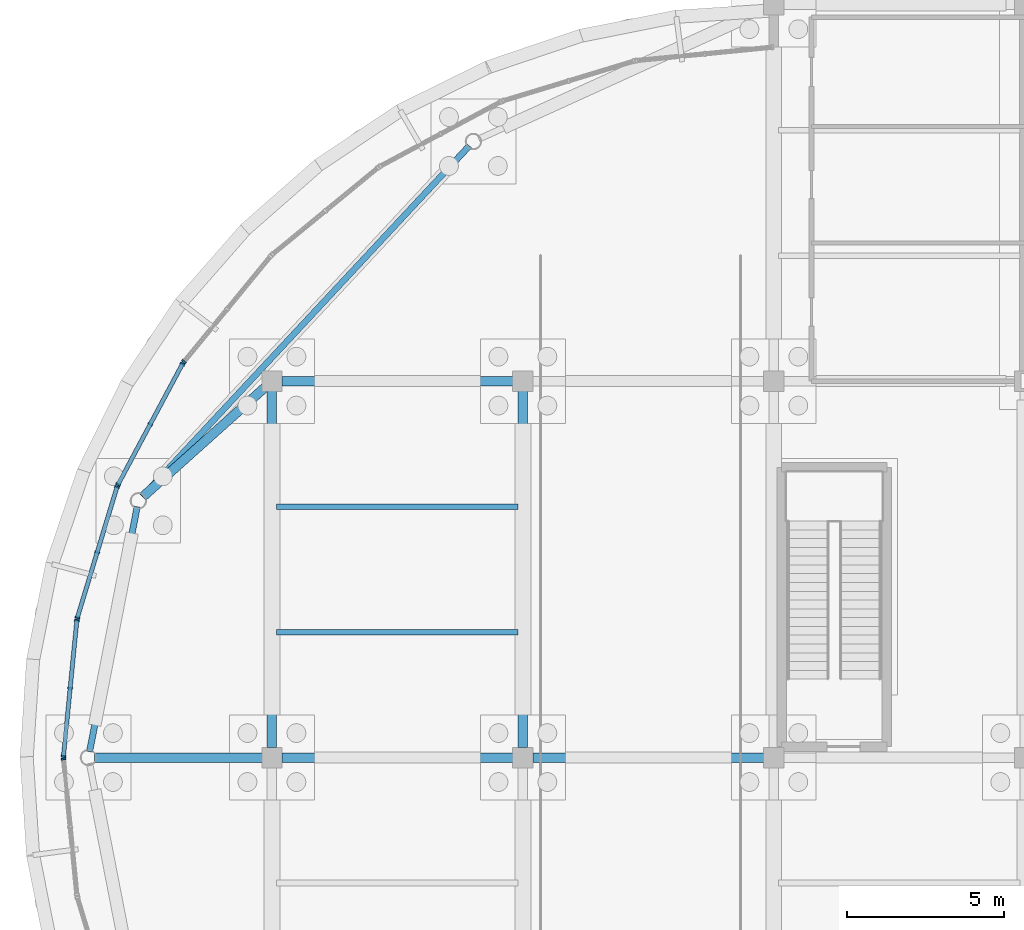
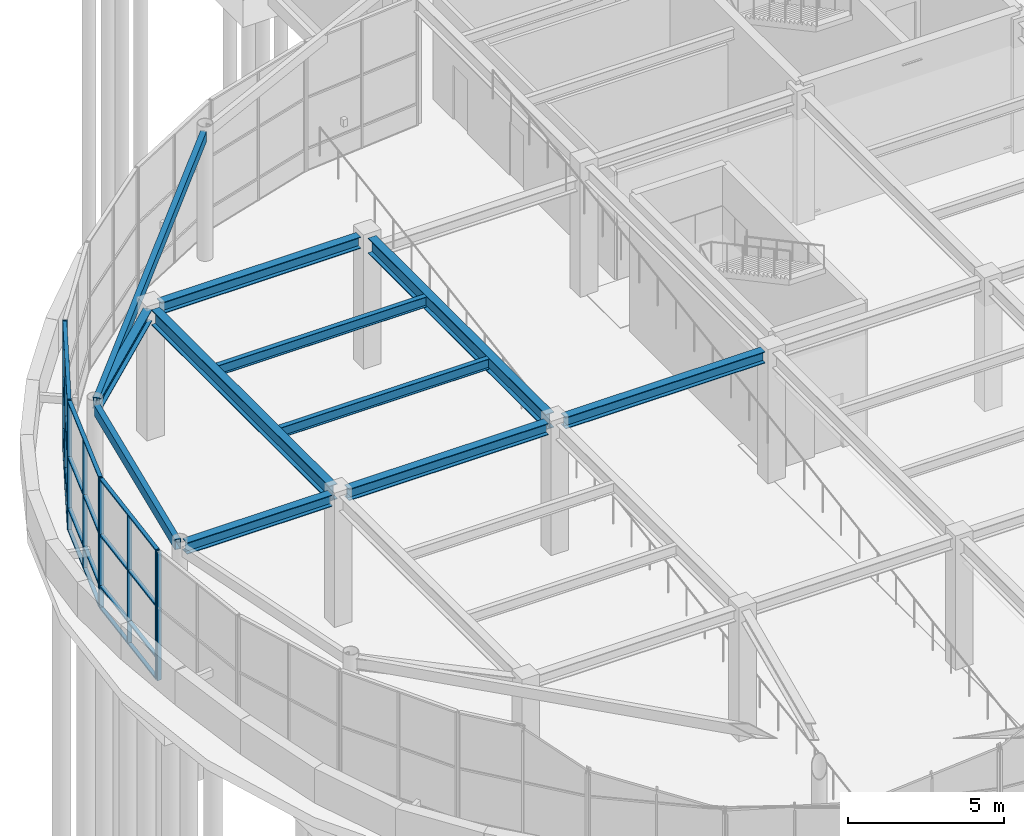
# One storey, part 30 of 85: 23 members, 11 beams, 5 elements without a shape of their own.
"""IFC4 building model written with IfcOpenShell, lengths in metres."""

from ifc_helpers import new_model, si_unit, direction, frame, origin, origin_2d, place, context, subcontext, project, spatial, rectangle, hollow_rectangle, i_section, extrude, material, layer, layer_set, material_profile, profile_set, type_object, element, aggregate, save


model = new_model("IFC4")

# Units and contexts
model_context = context("Model", 3, precision=1e-05, world=origin(), true_north=direction((0.0, 1.0)))
body_context = subcontext(model_context, "Body", "Model", "MODEL_VIEW")
ifc_project = project(units=[si_unit("LENGTHUNIT", "METRE"), si_unit("AREAUNIT", "SQUARE_METRE"), si_unit("VOLUMEUNIT", "CUBIC_METRE"), si_unit("PLANEANGLEUNIT", "RADIAN"), si_unit("MASSUNIT", "GRAM", prefix="KILO")], contexts=[model_context])

# Site, building, storey
site_placement = place(None, origin())
site = spatial("IfcSite", under=ifc_project, at=site_placement, CompositionType="ELEMENT")
building_placement = place(site_placement, origin())
building = spatial("IfcBuilding", under=site, at=building_placement, Name="Keelwater Ferry Terminal", CompositionType="ELEMENT")
storey_placement = place(building_placement, origin())
storey = spatial("IfcBuildingStorey", under=building, at=storey_placement, Name="L00", CompositionType="ELEMENT", Elevation=0.0)

# Curtain wall, member
ifc_material_1 = material(Name="Thermally broken unitised aluminium and triple glass", Category="aluminium")
ifc_layer = layer(ifc_material_1, 0.179931640625)
ifc_layer_set = layer_set([ifc_layer], Name="Thermally broken unitised aluminium and triple glass")
curtain_wall_type = type_object("IfcCurtainWallType", Name="CW-16 Unitised Curtain Wall 4350x5020", PredefinedType="USERDEFINED", material=ifc_layer_set)
curtain_wall_1_placement = place(storey_placement, origin())
curtain_wall_1 = element("IfcCurtainWall", 1, at=curtain_wall_1_placement, inside=storey, type_object=curtain_wall_type, Name="Unitised Curtain Wall CW-L00-081", ObjectType="UNITISED CURTAIN WALL", PredefinedType="USERDEFINED")
ifc_material_2 = material(Name="Aluminium mullion", Category="aluminium")
ifc_material_profile_1 = material_profile(ifc_material_2, rectangle(XDim=0.06005859375, YDim=0.14990234375, at=origin_2d()), Name="CWM-03")
ifc_profile_set_1 = profile_set([ifc_material_profile_1], Name="Aluminium mullion")
member_type_1 = type_object("IfcMemberType", Name="CWM-03 Curtain Mullion 60x150", PredefinedType="MULLION", material=ifc_profile_set_1)
member_1_placement = place(storey_placement, frame((5.196044921875, 78.618896484375, 0.0), z_axis=(0.0, 0.0, 1.0), x_axis=(-0.634376508991, -0.773024220086, 0.0)))
member_1 = element("IfcMember", 2, at=member_1_placement, type_object=member_type_1, Name="CW-L00-081 Mullion 3", PredefinedType="MULLION", context=body_context, shape_type="SweptSolid", body=[
    extrude(rectangle(XDim=0.06005859375, YDim=0.14990234375, at=origin_2d()), origin(), (0.0, 0.0, 1.0), 5.02001953125),
])
aggregate(curtain_wall_1, [member_1])

# Curtain wall, members
curtain_wall_2_placement = place(storey_placement, origin())
curtain_wall_2 = element("IfcCurtainWall", 3, at=curtain_wall_2_placement, inside=storey, type_object=curtain_wall_type, Name="Unitised Curtain Wall CW-L00-082", ObjectType="UNITISED CURTAIN WALL", PredefinedType="USERDEFINED")
member_2_placement = place(storey_placement, frame((5.14599609375, 78.5439453125, 0.0), z_axis=(0.0, 0.0, 1.0), x_axis=(-0.471506749303, -0.881862452632, 0.0)))
member_2 = element("IfcMember", 4, at=member_2_placement, type_object=member_type_1, Name="CW-L00-082 Mullion 1", PredefinedType="MULLION", context=body_context, shape_type="SweptSolid", body=[
    extrude(rectangle(XDim=0.06005859375, YDim=0.14990234375, at=origin_2d()), origin(), (0.0, 0.0, 1.0), 5.02001953125),
])
member_3_placement = place(storey_placement, frame((4.12060546875, 76.6259765625, 0.0), z_axis=(0.0, 0.0, 1.0), x_axis=(-0.471506749303, -0.881862452632, 0.0)))
member_3 = element("IfcMember", 5, at=member_3_placement, type_object=member_type_1, Name="CW-L00-082 Mullion 2", PredefinedType="MULLION", context=body_context, shape_type="SweptSolid", body=[
    extrude(rectangle(XDim=0.06005859375, YDim=0.14990234375, at=origin_2d()), origin(), (0.0, 0.0, 1.0), 5.02001953125),
])
member_4_placement = place(storey_placement, frame((3.094970703125, 74.7080078125, 0.0), z_axis=(0.0, 0.0, 1.0), x_axis=(-0.471506749303, -0.881862452632, 0.0)))
member_4 = element("IfcMember", 6, at=member_4_placement, type_object=member_type_1, Name="CW-L00-082 Mullion 3", PredefinedType="MULLION", context=body_context, shape_type="SweptSolid", body=[
    extrude(rectangle(XDim=0.06005859375, YDim=0.14990234375, at=origin_2d()), origin(), (0.0, 0.0, 1.0), 5.02001953125),
])

curtain_wall_3_placement = place(storey_placement, origin())
curtain_wall_3 = element("IfcCurtainWall", 7, at=curtain_wall_3_placement, inside=storey, type_object=curtain_wall_type, Name="Unitised Curtain Wall CW-L00-083", ObjectType="UNITISED CURTAIN WALL", PredefinedType="USERDEFINED")
member_5_placement = place(storey_placement, frame((3.06103515625, 74.625, 0.0), z_axis=(0.0, 0.0, 1.0), x_axis=(-0.290319989003, -0.956929623319, 0.0)))
member_5 = element("IfcMember", 8, at=member_5_placement, type_object=member_type_1, Name="CW-L00-083 Mullion 1", PredefinedType="MULLION", context=body_context, shape_type="SweptSolid", body=[
    extrude(rectangle(XDim=0.06005859375, YDim=0.14990234375, at=origin_2d()), origin(), (0.0, 0.0, 1.0), 5.02001953125),
])
member_6_placement = place(storey_placement, frame((2.429443359375, 72.54345703125, 0.0), z_axis=(0.0, 0.0, 1.0), x_axis=(-0.290319989003, -0.956929623319, 0.0)))
member_6 = element("IfcMember", 9, at=member_6_placement, type_object=member_type_1, Name="CW-L00-083 Mullion 2", PredefinedType="MULLION", context=body_context, shape_type="SweptSolid", body=[
    extrude(rectangle(XDim=0.06005859375, YDim=0.14990234375, at=origin_2d()), origin(), (0.0, 0.0, 1.0), 5.02001953125),
])
member_7_placement = place(storey_placement, frame((1.798095703125, 70.4619140625, 0.0), z_axis=(0.0, 0.0, 1.0), x_axis=(-0.290319989003, -0.956929623319, 0.0)))
member_7 = element("IfcMember", 10, at=member_7_placement, type_object=member_type_1, Name="CW-L00-083 Mullion 3", PredefinedType="MULLION", context=body_context, shape_type="SweptSolid", body=[
    extrude(rectangle(XDim=0.06005859375, YDim=0.14990234375, at=origin_2d()), origin(), (0.0, 0.0, 1.0), 5.02001953125),
])

curtain_wall_4_placement = place(storey_placement, origin())
curtain_wall_4 = element("IfcCurtainWall", 11, at=curtain_wall_4_placement, inside=storey, type_object=curtain_wall_type, Name="Unitised Curtain Wall CW-L00-084", ObjectType="UNITISED CURTAIN WALL", PredefinedType="USERDEFINED")
member_8_placement = place(storey_placement, frame((1.781005859375, 70.3740234375, 0.0), z_axis=(0.0, 0.0, 1.0), x_axis=(-0.098160737969, -0.995170573079, 0.0)))
member_8 = element("IfcMember", 12, at=member_8_placement, type_object=member_type_1, Name="CW-L00-084 Mullion 1", PredefinedType="MULLION", context=body_context, shape_type="SweptSolid", body=[
    extrude(rectangle(XDim=0.06005859375, YDim=0.14990234375, at=origin_2d()), origin(), (0.0, 0.0, 1.0), 5.02001953125),
])
member_9_placement = place(storey_placement, frame((1.5673828125, 68.20947265625, 0.0), z_axis=(0.0, 0.0, 1.0), x_axis=(-0.098160737969, -0.995170573079, 0.0)))
member_9 = element("IfcMember", 13, at=member_9_placement, type_object=member_type_1, Name="CW-L00-084 Mullion 2", PredefinedType="MULLION", context=body_context, shape_type="SweptSolid", body=[
    extrude(rectangle(XDim=0.06005859375, YDim=0.14990234375, at=origin_2d()), origin(), (0.0, 0.0, 1.0), 5.02001953125),
])
member_10_placement = place(storey_placement, frame((1.35400390625, 66.044921875, 0.0), z_axis=(0.0, 0.0, 1.0), x_axis=(-0.098160737969, -0.995170573079, 0.0)))
member_10 = element("IfcMember", 14, at=member_10_placement, type_object=member_type_1, Name="CW-L00-084 Mullion 3", PredefinedType="MULLION", context=body_context, shape_type="SweptSolid", body=[
    extrude(rectangle(XDim=0.06005859375, YDim=0.14990234375, at=origin_2d()), origin(), (0.0, 0.0, 1.0), 5.02001953125),
])

# Curtain wall, member
curtain_wall_5_placement = place(storey_placement, origin())
curtain_wall_5 = element("IfcCurtainWall", 15, at=curtain_wall_5_placement, inside=storey, type_object=curtain_wall_type, Name="Unitised Curtain Wall CW-L00-085", ObjectType="UNITISED CURTAIN WALL", PredefinedType="USERDEFINED")
member_11_placement = place(storey_placement, frame((1.35400390625, 65.955078125, 0.0), z_axis=(0.0, 0.0, 1.0), x_axis=(0.098160737969, -0.995170573079, 0.0)))
member_11 = element("IfcMember", 16, at=member_11_placement, type_object=member_type_1, Name="CW-L00-085 Mullion 1", PredefinedType="MULLION", context=body_context, shape_type="SweptSolid", body=[
    extrude(rectangle(XDim=0.06005859375, YDim=0.14990234375, at=origin_2d()), origin(), (0.0, 0.0, 1.0), 5.02001953125),
])
aggregate(curtain_wall_5, [member_11])

# Member
ifc_material_3 = material(Name="Aluminium mullion", Category="aluminium")
ifc_material_profile_2 = material_profile(ifc_material_3, rectangle(XDim=0.135009765625, YDim=0.06005859375, at=origin_2d()), Name="CWT-03")
ifc_profile_set_2 = profile_set([ifc_material_profile_2], Name="Aluminium mullion")
member_type_2 = type_object("IfcMemberType", Name="CWT-03 Curtain Transom 60x135", PredefinedType="USERDEFINED", material=ifc_profile_set_2)
member_12_placement = place(storey_placement, frame((5.14599609375, 78.5439453125, 0.0), z_axis=(-0.471517263122, -0.881856831112, 0.0), x_axis=(0.881856831112, -0.471517263122, 0.0)))
member_12 = element("IfcMember", 17, at=member_12_placement, type_object=member_type_2, Name="CW-L00-082 Transom 1", ObjectType="TRANSOM", PredefinedType="USERDEFINED", context=body_context, shape_type="SweptSolid", body=[
    extrude(rectangle(XDim=0.135009765625, YDim=0.06005859375, at=origin_2d()), origin(), (0.0, 0.0, 1.0), 4.349853515625),
])

member_13_placement = place(storey_placement, frame((5.14599609375, 78.5439453125, 0.85009765625), z_axis=(-0.471517263122, -0.881856831112, 0.0), x_axis=(0.881856831112, -0.471517263122, 0.0)))
member_13 = element("IfcMember", 18, at=member_13_placement, type_object=member_type_2, Name="CW-L00-082 Transom 2", ObjectType="TRANSOM", PredefinedType="USERDEFINED", context=body_context, shape_type="SweptSolid", body=[
    extrude(rectangle(XDim=0.135009765625, YDim=0.06005859375, at=origin_2d()), origin(), (0.0, 0.0, 1.0), 4.349853515625),
])

member_14_placement = place(storey_placement, frame((5.14599609375, 78.5439453125, 2.85009765625), z_axis=(-0.471517263122, -0.881856831112, 0.0), x_axis=(0.881856831112, -0.471517263122, 0.0)))
member_14 = element("IfcMember", 19, at=member_14_placement, type_object=member_type_2, Name="CW-L00-082 Transom 3", ObjectType="TRANSOM", PredefinedType="USERDEFINED", context=body_context, shape_type="SweptSolid", body=[
    extrude(rectangle(XDim=0.135009765625, YDim=0.06005859375, at=origin_2d()), origin(), (0.0, 0.0, 1.0), 4.349853515625),
])

member_15_placement = place(storey_placement, frame((5.14599609375, 78.5439453125, 5.02001953125), z_axis=(-0.471517263122, -0.881856831112, 0.0), x_axis=(0.881856831112, -0.471517263122, 0.0)))
member_15 = element("IfcMember", 20, at=member_15_placement, type_object=member_type_2, Name="CW-L00-082 Transom 4", ObjectType="TRANSOM", PredefinedType="USERDEFINED", context=body_context, shape_type="SweptSolid", body=[
    extrude(rectangle(XDim=0.135009765625, YDim=0.06005859375, at=origin_2d()), origin(), (0.0, 0.0, 1.0), 4.349853515625),
])

aggregate(curtain_wall_2, [member_2, member_3, member_4, member_12, member_13, member_14, member_15])

member_16_placement = place(storey_placement, frame((3.06103515625, 74.625, 0.0), z_axis=(-0.290301756665, -0.956935154583, 0.0), x_axis=(0.956935154583, -0.290301756665, 0.0)))
member_16 = element("IfcMember", 21, at=member_16_placement, type_object=member_type_2, Name="CW-L00-083 Transom 1", ObjectType="TRANSOM", PredefinedType="USERDEFINED", context=body_context, shape_type="SweptSolid", body=[
    extrude(rectangle(XDim=0.135009765625, YDim=0.06005859375, at=origin_2d()), origin(), (0.0, 0.0, 1.0), 4.350341796875),
])

member_17_placement = place(storey_placement, frame((3.06103515625, 74.625, 0.85009765625), z_axis=(-0.290301756665, -0.956935154583, 0.0), x_axis=(0.956935154583, -0.290301756665, 0.0)))
member_17 = element("IfcMember", 22, at=member_17_placement, type_object=member_type_2, Name="CW-L00-083 Transom 2", ObjectType="TRANSOM", PredefinedType="USERDEFINED", context=body_context, shape_type="SweptSolid", body=[
    extrude(rectangle(XDim=0.135009765625, YDim=0.06005859375, at=origin_2d()), origin(), (0.0, 0.0, 1.0), 4.350341796875),
])

member_18_placement = place(storey_placement, frame((3.06103515625, 74.625, 2.85009765625), z_axis=(-0.290301756665, -0.956935154583, 0.0), x_axis=(0.956935154583, -0.290301756665, 0.0)))
member_18 = element("IfcMember", 23, at=member_18_placement, type_object=member_type_2, Name="CW-L00-083 Transom 3", ObjectType="TRANSOM", PredefinedType="USERDEFINED", context=body_context, shape_type="SweptSolid", body=[
    extrude(rectangle(XDim=0.135009765625, YDim=0.06005859375, at=origin_2d()), origin(), (0.0, 0.0, 1.0), 4.350341796875),
])

member_19_placement = place(storey_placement, frame((3.06103515625, 74.625, 5.02001953125), z_axis=(-0.290301756665, -0.956935154583, 0.0), x_axis=(0.956935154583, -0.290301756665, 0.0)))
member_19 = element("IfcMember", 24, at=member_19_placement, type_object=member_type_2, Name="CW-L00-083 Transom 4", ObjectType="TRANSOM", PredefinedType="USERDEFINED", context=body_context, shape_type="SweptSolid", body=[
    extrude(rectangle(XDim=0.135009765625, YDim=0.06005859375, at=origin_2d()), origin(), (0.0, 0.0, 1.0), 4.350341796875),
])

aggregate(curtain_wall_3, [member_5, member_6, member_7, member_16, member_17, member_18, member_19])

member_20_placement = place(storey_placement, frame((1.781005859375, 70.3740234375, 0.0), z_axis=(-0.098158901932, -0.995170754178, 0.0), x_axis=(0.995170754178, -0.098158901932, 0.0)))
member_20 = element("IfcMember", 25, at=member_20_placement, type_object=member_type_2, Name="CW-L00-084 Transom 1", ObjectType="TRANSOM", PredefinedType="USERDEFINED", context=body_context, shape_type="SweptSolid", body=[
    extrude(rectangle(XDim=0.135009765625, YDim=0.06005859375, at=origin_2d()), origin(), (0.0, 0.0, 1.0), 4.35009765625),
])

member_21_placement = place(storey_placement, frame((1.781005859375, 70.3740234375, 0.85009765625), z_axis=(-0.098158901932, -0.995170754178, 0.0), x_axis=(0.995170754178, -0.098158901932, 0.0)))
member_21 = element("IfcMember", 26, at=member_21_placement, type_object=member_type_2, Name="CW-L00-084 Transom 2", ObjectType="TRANSOM", PredefinedType="USERDEFINED", context=body_context, shape_type="SweptSolid", body=[
    extrude(rectangle(XDim=0.135009765625, YDim=0.06005859375, at=origin_2d()), origin(), (0.0, 0.0, 1.0), 4.35009765625),
])

member_22_placement = place(storey_placement, frame((1.781005859375, 70.3740234375, 2.85009765625), z_axis=(-0.098158901932, -0.995170754178, 0.0), x_axis=(0.995170754178, -0.098158901932, 0.0)))
member_22 = element("IfcMember", 27, at=member_22_placement, type_object=member_type_2, Name="CW-L00-084 Transom 3", ObjectType="TRANSOM", PredefinedType="USERDEFINED", context=body_context, shape_type="SweptSolid", body=[
    extrude(rectangle(XDim=0.135009765625, YDim=0.06005859375, at=origin_2d()), origin(), (0.0, 0.0, 1.0), 4.35009765625),
])

member_23_placement = place(storey_placement, frame((1.781005859375, 70.3740234375, 5.02001953125), z_axis=(-0.098158901932, -0.995170754178, 0.0), x_axis=(0.995170754178, -0.098158901932, 0.0)))
member_23 = element("IfcMember", 28, at=member_23_placement, type_object=member_type_2, Name="CW-L00-084 Transom 4", ObjectType="TRANSOM", PredefinedType="USERDEFINED", context=body_context, shape_type="SweptSolid", body=[
    extrude(rectangle(XDim=0.135009765625, YDim=0.06005859375, at=origin_2d()), origin(), (0.0, 0.0, 1.0), 4.35009765625),
])

aggregate(curtain_wall_4, [member_8, member_9, member_10, member_20, member_21, member_22, member_23])

# Beams
ifc_material_4 = material(Name="Steel S355", Category="steel")
ifc_material_profile_3 = material_profile(ifc_material_4, i_section(OverallWidth=0.300048828125, OverallDepth=0.60009765625, WebThickness=0.015380859375, FlangeThickness=0.030029296875, at=origin_2d()), Name="HEB 600")
ifc_profile_set_3 = profile_set([ifc_material_profile_3], Name="Steel S355")
beam_type_1 = type_object("IfcBeamType", Name="G3E HEB 600", PredefinedType="BEAM", material=ifc_profile_set_3)
for number, where, z_axis, x_axis, name in (
    (29, (8.0, 66.318115234375, 4.760009765625), (0.0, 1.0, 0.0), (-1.0, 0.0, 0.0), "Beam BM-L00-0155"),
    (30, (16.0, 66.318115234375, 4.760009765625), (0.0, 1.0, 0.0), (-1.0, 0.0, 0.0), "Beam BM-L00-0157"),
):
    element("IfcBeam", number, at=place(storey_placement, frame(where, z_axis=z_axis, x_axis=x_axis)), inside=storey, type_object=beam_type_1, Name=name, PredefinedType="BEAM", context=body_context, shape_type="SweptSolid", body=[
        extrude(i_section(OverallWidth=0.300048828125, OverallDepth=0.60009765625, WebThickness=0.015380859375, FlangeThickness=0.030029296875, at=origin_2d()), origin(), (0.0, 0.0, 1.0), 11.36376953125),
    ])
ifc_material_5 = material(Name="Steel S355", Category="steel")
ifc_material_profile_4 = material_profile(ifc_material_5, i_section(OverallWidth=0.300048828125, OverallDepth=0.449951171875, WebThickness=0.013916015625, FlangeThickness=0.02587890625, at=origin_2d()), Name="HEB 450")
ifc_profile_set_4 = profile_set([ifc_material_profile_4], Name="Steel S355")
beam_type_2 = type_object("IfcBeamType", Name="G6 HEB 450", PredefinedType="BEAM", material=ifc_profile_set_4)
for number, where, z_axis, x_axis, name in (
    (31, (8.318115234375, 66.0, 4.8349609375), (1.0, 0.0, 0.0), (0.0, 1.0, 0.0), "Beam BM-L00-0049"),
    (32, (16.318115234375, 66.0, 4.8349609375), (1.0, 0.0, 0.0), (0.0, 1.0, 0.0), "Beam BM-L00-0050"),
    (33, (8.318115234375, 78.0, 4.8349609375), (1.0, 0.0, 0.0), (0.0, 1.0, 0.0), "Beam BM-L00-0067"),
):
    element("IfcBeam", number, at=place(storey_placement, frame(where, z_axis=z_axis, x_axis=x_axis)), inside=storey, type_object=beam_type_2, Name=name, PredefinedType="BEAM", context=body_context, shape_type="SweptSolid", body=[
        extrude(i_section(OverallWidth=0.300048828125, OverallDepth=0.449951171875, WebThickness=0.013916015625, FlangeThickness=0.02587890625, at=origin_2d()), origin(), (0.0, 0.0, 1.0), 7.36376953125),
    ])
beam_1_placement = place(storey_placement, frame((3.883056640625, 74.31201171875, 4.8349609375), z_axis=(0.74477067713, 0.667320491584, 0.0), x_axis=(-0.667320491584, 0.74477067713, 0.0)))
element("IfcBeam", 34, at=beam_1_placement, inside=storey, type_object=beam_type_2, Name="Beam BM-L00-0591", PredefinedType="BEAM", context=body_context, shape_type="SweptSolid", body=[
    extrude(i_section(OverallWidth=0.300048828125, OverallDepth=0.449951171875, WebThickness=0.013916015625, FlangeThickness=0.02587890625, at=origin_2d()), origin(), (0.0, 0.0, 1.0), 5.239013671875),
])
beam_2_placement = place(storey_placement, frame((2.340087890625, 66.0, 4.8349609375), z_axis=(1.0, 0.0, 0.0), x_axis=(0.0, 1.0, 0.0)))
element("IfcBeam", 35, at=beam_2_placement, inside=storey, type_object=beam_type_2, Name="Beam BM-L00-0592", PredefinedType="BEAM", context=body_context, shape_type="SweptSolid", body=[
    extrude(i_section(OverallWidth=0.300048828125, OverallDepth=0.449951171875, WebThickness=0.013916015625, FlangeThickness=0.02587890625, at=origin_2d()), origin(), (0.0, 0.0, 1.0), 5.371826171875),
])
ifc_material_6 = material(Name="Steel S355", Category="steel")
ifc_material_profile_5 = material_profile(ifc_material_6, i_section(OverallWidth=0.179931640625, OverallDepth=0.39990234375, WebThickness=0.008544921875, FlangeThickness=0.013427734375, at=origin_2d()), Name="IPE 400")
ifc_profile_set_5 = profile_set([ifc_material_profile_5], Name="Steel S355")
beam_type_3 = type_object("IfcBeamType", Name="J5 IPE 400", PredefinedType="JOIST", material=ifc_profile_set_5)
for number, where, z_axis, x_axis, name in (
    (36, (8.14990234375, 70.0, 4.860107421875), (1.0, 0.0, 0.0), (0.0, 1.0, 0.0), "Beam BM-L00-0306"),
    (37, (8.14990234375, 74.0, 4.860107421875), (1.0, 0.0, 0.0), (0.0, 1.0, 0.0), "Beam BM-L00-0307"),
):
    element("IfcBeam", number, at=place(storey_placement, frame(where, z_axis=z_axis, x_axis=x_axis)), inside=storey, type_object=beam_type_3, Name=name, PredefinedType="JOIST", context=body_context, shape_type="SweptSolid", body=[
        extrude(i_section(OverallWidth=0.179931640625, OverallDepth=0.39990234375, WebThickness=0.008544921875, FlangeThickness=0.013427734375, at=origin_2d()), origin(), (0.0, 0.0, 1.0), 7.7001953125),
    ])
ifc_material_7 = material(Name="Steel S355", Category="steel")
ifc_material_profile_6 = material_profile(ifc_material_7, hollow_rectangle(XDim=0.199951171875, YDim=0.39990234375, WallThickness=0.01611328125, at=origin_2d()), Name="RHS 400x200x16")
ifc_profile_set_6 = profile_set([ifc_material_profile_6], Name="Steel S355")
beam_type_4 = type_object("IfcBeamType", Name="SP3E RHS 400x200x16", PredefinedType="SPANDREL", material=ifc_profile_set_6)
beam_3_placement = place(storey_placement, frame((14.2919921875, 85.5, 4.860107421875), z_axis=(-0.681966371638, -0.731383529999, 0.0), x_axis=(0.731383529999, -0.681966371638, 0.0)))
element("IfcBeam", 38, at=beam_3_placement, inside=storey, type_object=beam_type_4, Name="Beam BM-L00-0586", PredefinedType="SPANDREL", context=body_context, shape_type="SweptSolid", body=[
    extrude(hollow_rectangle(XDim=0.199951171875, YDim=0.39990234375, WallThickness=0.01611328125, at=origin_2d()), origin(), (0.0, 0.0, 1.0), 15.28076171875),
])
beam_4_placement = place(storey_placement, frame((3.705078125, 73.998046875, 4.860107421875), z_axis=(-0.190897579934, -0.981609960206, 0.0), x_axis=(0.981609960206, -0.190897579934, 0.0)))
element("IfcBeam", 39, at=beam_4_placement, inside=storey, type_object=beam_type_4, Name="Beam BM-L00-0587", PredefinedType="SPANDREL", context=body_context, shape_type="SweptSolid", body=[
    extrude(hollow_rectangle(XDim=0.199951171875, YDim=0.39990234375, WallThickness=0.01611328125, at=origin_2d()), origin(), (0.0, 0.0, 1.0), 7.957275390625),
])

save(model, "model.ifc")
